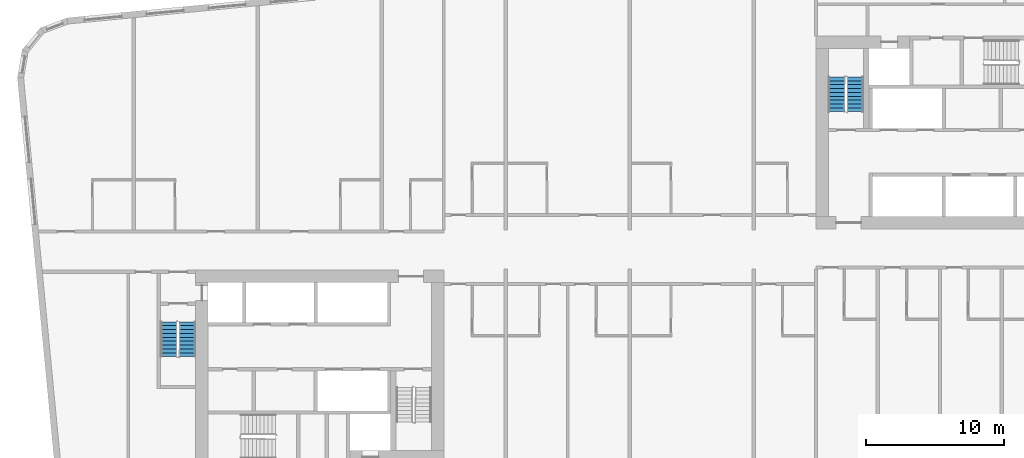
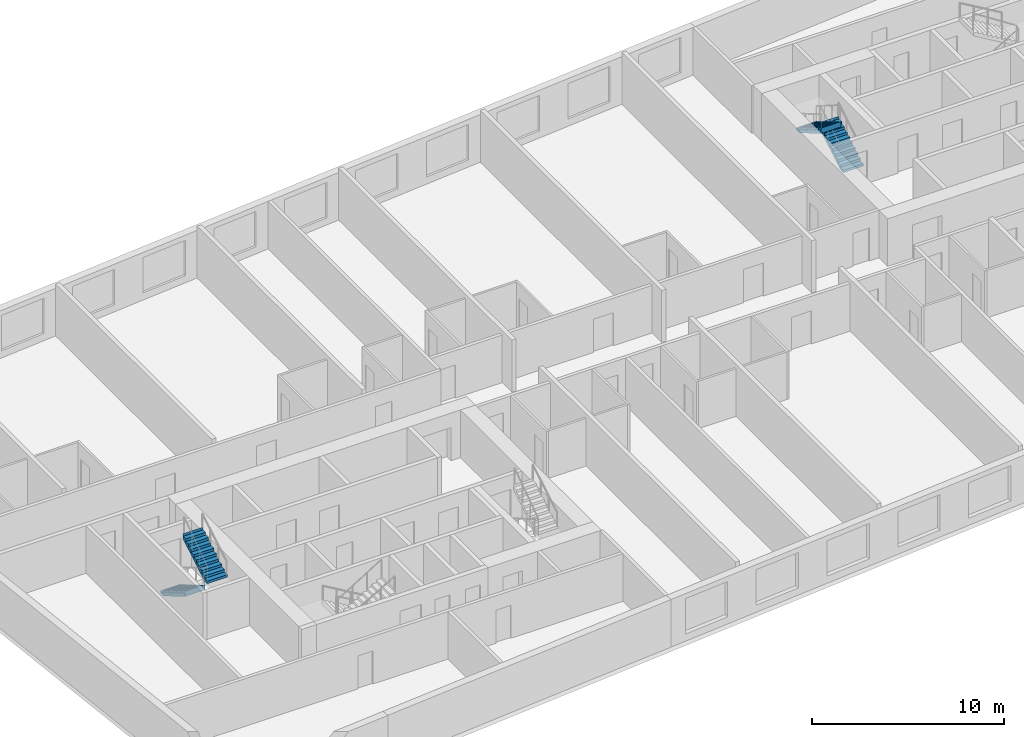
# One storey, part 10 of 12: 4 stair flights, 2 elements without a shape of their own.
"""IFC4 building model written with IfcOpenShell, lengths in metres."""

from ifc_helpers import new_model, si_unit, direction, frame, origin, place, context, subcontext, project, spatial, faceted_brep, material, type_object, element, aggregate, save


model = new_model("IFC4")

# Units and contexts
model_context = context("Model", 3, precision=1e-05, world=origin(), true_north=direction((0.0, 1.0)))
body_context = subcontext(model_context, "Body", "Model", "MODEL_VIEW")
ifc_project = project(units=[si_unit("LENGTHUNIT", "METRE"), si_unit("AREAUNIT", "SQUARE_METRE"), si_unit("VOLUMEUNIT", "CUBIC_METRE"), si_unit("PLANEANGLEUNIT", "RADIAN"), si_unit("MASSUNIT", "GRAM", prefix="KILO")], contexts=[model_context])

# Site, building, storey
site_placement = place(None, origin())
site = spatial("IfcSite", under=ifc_project, at=site_placement, CompositionType="ELEMENT")
building_placement = place(site_placement, origin())
building = spatial("IfcBuilding", under=site, at=building_placement, Name="Kajstack Hotel Tower", CompositionType="ELEMENT")
storey_placement = place(building_placement, frame((0.0, 0.0, 190.0)))
storey = spatial("IfcBuildingStorey", under=building, at=storey_placement, Name="L45", CompositionType="ELEMENT", Elevation=190.0)

# Stair, stair flights
ifc_material = material(Name="Concrete C40/50", Category="concrete")
stair_type = type_object("IfcStairType", Name="Exit stair 1200", PredefinedType="HALF_TURN_STAIR", material=ifc_material)
stair_1_placement = place(storey_placement, origin())
stair_1 = element("IfcStair", 1, at=stair_1_placement, inside=storey, type_object=stair_type, Name="L45 stair W1", PredefinedType="HALF_TURN_STAIR")
stair_flight_type = type_object("IfcStairFlightType", Name="Exit stair flight 1200", PredefinedType="STRAIGHT", material=ifc_material)
stair_flight_1_placement = place(storey_placement, frame((-33.449951171875, -5.25, 0.0), z_axis=(0.0, 0.0, 1.0), x_axis=(0.0, -1.0, 0.0)))
stair_flight_1 = element("IfcStairFlight", 2, at=stair_flight_1_placement, type_object=stair_flight_type, Name="W1 flight 1", NumberOfRisers=10, NumberOfTreads=9, PredefinedType="STRAIGHT", RiserHeight=0.165, TreadLength=0.28, context=body_context, shape_type="Brep", body=[
    faceted_brep([(0.295654296875, -0.60009765625, 0.0), (2.5205078125, -0.60009765625, 1.31103515625), (2.5205078125, -0.60009765625, 1.64990234375), (2.52001953125, -0.60009765625, 1.64990234375), (2.52001953125, -0.60009765625, 1.485107421875), (2.239990234375, -0.60009765625, 1.485107421875), (2.239990234375, -0.60009765625, 1.320068359375), (1.9599609375, -0.60009765625, 1.320068359375), (1.9599609375, -0.60009765625, 1.155029296875), (1.679931640625, -0.60009765625, 1.155029296875), (1.679931640625, -0.60009765625, 0.989990234375), (1.39990234375, -0.60009765625, 0.989990234375), (1.39990234375, -0.60009765625, 0.824951171875), (1.1201171875, -0.60009765625, 0.824951171875), (1.1201171875, -0.60009765625, 0.659912109375), (0.840087890625, -0.60009765625, 0.659912109375), (0.840087890625, -0.60009765625, 0.4951171875), (0.56005859375, -0.60009765625, 0.4951171875), (0.56005859375, -0.60009765625, 0.330078125), (0.280029296875, -0.60009765625, 0.330078125), (0.280029296875, -0.60009765625, 0.1650390625), (-0.00048828125, -0.60009765625, 0.1650390625), (-0.00048828125, -0.60009765625, 0.0), (-0.00048828125, 0.60009765625, 0.0), (-0.00048828125, 0.60009765625, 0.1650390625), (0.280029296875, 0.60009765625, 0.1650390625), (0.280029296875, 0.60009765625, 0.330078125), (0.56005859375, 0.60009765625, 0.330078125), (0.56005859375, 0.60009765625, 0.4951171875), (0.840087890625, 0.60009765625, 0.4951171875), (0.840087890625, 0.60009765625, 0.659912109375), (1.1201171875, 0.60009765625, 0.659912109375), (1.1201171875, 0.60009765625, 0.824951171875), (1.39990234375, 0.60009765625, 0.824951171875), (1.39990234375, 0.60009765625, 0.989990234375), (1.679931640625, 0.60009765625, 0.989990234375), (1.679931640625, 0.60009765625, 1.155029296875), (1.9599609375, 0.60009765625, 1.155029296875), (1.9599609375, 0.60009765625, 1.320068359375), (2.239990234375, 0.60009765625, 1.320068359375), (2.239990234375, 0.60009765625, 1.485107421875), (2.52001953125, 0.60009765625, 1.485107421875), (2.52001953125, 0.60009765625, 1.64990234375), (2.5205078125, 0.60009765625, 1.64990234375), (2.5205078125, 0.60009765625, 1.31103515625), (0.295654296875, 0.60009765625, 0.0), (-0.00048828125, -0.300048828125, 0.1650390625), (-0.00048828125, 0.0, 0.1650390625), (-0.00048828125, 0.300048828125, 0.1650390625), (-0.00048828125, 0.300048828125, 0.0), (-0.00048828125, 0.0, 0.0), (-0.00048828125, -0.300048828125, 0.0), (0.280029296875, -0.300048828125, 0.1650390625), (0.280029296875, 0.0, 0.1650390625), (0.280029296875, 0.300048828125, 0.1650390625), (0.280029296875, -0.300048828125, 0.330078125), (0.280029296875, 0.0, 0.330078125), (0.280029296875, 0.300048828125, 0.330078125), (0.56005859375, -0.300048828125, 0.330078125), (0.56005859375, 0.0, 0.330078125), (0.56005859375, 0.300048828125, 0.330078125), (0.56005859375, -0.300048828125, 0.4951171875), (0.56005859375, 0.0, 0.4951171875), (0.56005859375, 0.300048828125, 0.4951171875), (0.840087890625, -0.300048828125, 0.4951171875), (0.840087890625, 0.0, 0.4951171875), (0.840087890625, 0.300048828125, 0.4951171875), (0.840087890625, -0.300048828125, 0.659912109375), (0.840087890625, 0.0, 0.659912109375), (0.840087890625, 0.300048828125, 0.659912109375), (1.1201171875, -0.300048828125, 0.659912109375), (1.1201171875, 0.0, 0.659912109375), (1.1201171875, 0.300048828125, 0.659912109375), (1.1201171875, -0.300048828125, 0.824951171875), (1.1201171875, 0.0, 0.824951171875), (1.1201171875, 0.300048828125, 0.824951171875), (1.39990234375, -0.300048828125, 0.824951171875), (1.39990234375, 0.0, 0.824951171875), (1.39990234375, 0.300048828125, 0.824951171875), (1.39990234375, -0.300048828125, 0.989990234375), (1.39990234375, 0.0, 0.989990234375), (1.39990234375, 0.300048828125, 0.989990234375), (1.679931640625, -0.300048828125, 0.989990234375), (1.679931640625, 0.0, 0.989990234375), (1.679931640625, 0.300048828125, 0.989990234375), (1.679931640625, -0.300048828125, 1.155029296875), (1.679931640625, 0.0, 1.155029296875), (1.679931640625, 0.300048828125, 1.155029296875), (1.9599609375, -0.300048828125, 1.155029296875), (1.9599609375, 0.0, 1.155029296875), (1.9599609375, 0.300048828125, 1.155029296875), (1.9599609375, -0.300048828125, 1.320068359375), (1.9599609375, 0.0, 1.320068359375), (1.9599609375, 0.300048828125, 1.320068359375), (2.239990234375, -0.300048828125, 1.320068359375), (2.239990234375, 0.0, 1.320068359375), (2.239990234375, 0.300048828125, 1.320068359375), (2.239990234375, -0.300048828125, 1.485107421875), (2.239990234375, 0.0, 1.485107421875), (2.239990234375, 0.300048828125, 1.485107421875), (2.52001953125, -0.300048828125, 1.485107421875), (2.52001953125, 0.0, 1.485107421875), (2.52001953125, 0.300048828125, 1.485107421875), (2.52001953125, -0.300048828125, 1.64990234375), (2.52001953125, 0.0, 1.64990234375), (2.52001953125, 0.300048828125, 1.64990234375), (2.5205078125, -0.300048828125, 1.64990234375), (2.5205078125, 0.0, 1.64990234375), (2.5205078125, 0.300048828125, 1.64990234375), (2.5205078125, -0.300048828125, 1.31103515625), (2.5205078125, 0.0, 1.31103515625), (2.5205078125, 0.300048828125, 1.31103515625), (0.295654296875, -0.300048828125, 0.0), (0.295654296875, 0.0, 0.0), (0.295654296875, 0.300048828125, 0.0)], [[[0, 1, 2, 3, 4, 5, 6, 7, 8, 9, 10, 11, 12, 13, 14, 15, 16, 17, 18, 19, 20, 21, 22]], [[23, 24, 25, 26, 27, 28, 29, 30, 31, 32, 33, 34, 35, 36, 37, 38, 39, 40, 41, 42, 43, 44, 45]], [[21, 46, 47, 48, 24, 23, 49, 50, 51, 22]], [[20, 52, 53, 54, 25, 24, 48, 47, 46, 21]], [[19, 55, 56, 57, 26, 25, 54, 53, 52, 20]], [[18, 58, 59, 60, 27, 26, 57, 56, 55, 19]], [[17, 61, 62, 63, 28, 27, 60, 59, 58, 18]], [[16, 64, 65, 66, 29, 28, 63, 62, 61, 17]], [[15, 67, 68, 69, 30, 29, 66, 65, 64, 16]], [[14, 70, 71, 72, 31, 30, 69, 68, 67, 15]], [[13, 73, 74, 75, 32, 31, 72, 71, 70, 14]], [[12, 76, 77, 78, 33, 32, 75, 74, 73, 13]], [[11, 79, 80, 81, 34, 33, 78, 77, 76, 12]], [[10, 82, 83, 84, 35, 34, 81, 80, 79, 11]], [[9, 85, 86, 87, 36, 35, 84, 83, 82, 10]], [[8, 88, 89, 90, 37, 36, 87, 86, 85, 9]], [[7, 91, 92, 93, 38, 37, 90, 89, 88, 8]], [[6, 94, 95, 96, 39, 38, 93, 92, 91, 7]], [[5, 97, 98, 99, 40, 39, 96, 95, 94, 6]], [[4, 100, 101, 102, 41, 40, 99, 98, 97, 5]], [[3, 103, 104, 105, 42, 41, 102, 101, 100, 4]], [[2, 106, 107, 108, 43, 42, 105, 104, 103, 3]], [[1, 109, 110, 111, 44, 43, 108, 107, 106, 2]], [[0, 112, 113, 114, 45, 44, 111, 110, 109, 1]], [[22, 51, 50, 49, 23, 45, 114, 113, 112, 0]]]),
])
stair_flight_2_placement = place(storey_placement, frame((-32.10009765625, -7.77001953125, 1.64990234375), z_axis=(0.0, 0.0, 1.0), x_axis=(0.0, 1.0, 0.0)))
stair_flight_2 = element("IfcStairFlight", 3, at=stair_flight_2_placement, type_object=stair_flight_type, Name="W1 flight 2", NumberOfRisers=10, NumberOfTreads=9, PredefinedType="STRAIGHT", RiserHeight=0.165, TreadLength=0.28, context=body_context, shape_type="Brep", body=[
    faceted_brep([(0.295654296875, -0.60009765625, 0.0), (2.5205078125, -0.60009765625, 1.31103515625), (2.5205078125, -0.60009765625, 1.64990234375), (2.52001953125, -0.60009765625, 1.64990234375), (2.52001953125, -0.60009765625, 1.485107421875), (2.239990234375, -0.60009765625, 1.485107421875), (2.239990234375, -0.60009765625, 1.320068359375), (1.9599609375, -0.60009765625, 1.320068359375), (1.9599609375, -0.60009765625, 1.155029296875), (1.679931640625, -0.60009765625, 1.155029296875), (1.679931640625, -0.60009765625, 0.989990234375), (1.39990234375, -0.60009765625, 0.989990234375), (1.39990234375, -0.60009765625, 0.824951171875), (1.1201171875, -0.60009765625, 0.824951171875), (1.1201171875, -0.60009765625, 0.659912109375), (0.840087890625, -0.60009765625, 0.659912109375), (0.840087890625, -0.60009765625, 0.4951171875), (0.56005859375, -0.60009765625, 0.4951171875), (0.56005859375, -0.60009765625, 0.330078125), (0.280029296875, -0.60009765625, 0.330078125), (0.280029296875, -0.60009765625, 0.1650390625), (-0.00048828125, -0.60009765625, 0.1650390625), (-0.00048828125, -0.60009765625, 0.0), (-0.00048828125, 0.60009765625, 0.0), (-0.00048828125, 0.60009765625, 0.1650390625), (0.280029296875, 0.60009765625, 0.1650390625), (0.280029296875, 0.60009765625, 0.330078125), (0.56005859375, 0.60009765625, 0.330078125), (0.56005859375, 0.60009765625, 0.4951171875), (0.840087890625, 0.60009765625, 0.4951171875), (0.840087890625, 0.60009765625, 0.659912109375), (1.1201171875, 0.60009765625, 0.659912109375), (1.1201171875, 0.60009765625, 0.824951171875), (1.39990234375, 0.60009765625, 0.824951171875), (1.39990234375, 0.60009765625, 0.989990234375), (1.679931640625, 0.60009765625, 0.989990234375), (1.679931640625, 0.60009765625, 1.155029296875), (1.9599609375, 0.60009765625, 1.155029296875), (1.9599609375, 0.60009765625, 1.320068359375), (2.239990234375, 0.60009765625, 1.320068359375), (2.239990234375, 0.60009765625, 1.485107421875), (2.52001953125, 0.60009765625, 1.485107421875), (2.52001953125, 0.60009765625, 1.64990234375), (2.5205078125, 0.60009765625, 1.64990234375), (2.5205078125, 0.60009765625, 1.31103515625), (0.295654296875, 0.60009765625, 0.0), (-0.00048828125, -0.300048828125, 0.1650390625), (-0.00048828125, 0.0, 0.1650390625), (-0.00048828125, 0.300048828125, 0.1650390625), (-0.00048828125, 0.300048828125, 0.0), (-0.00048828125, 0.0, 0.0), (-0.00048828125, -0.300048828125, 0.0), (0.280029296875, -0.300048828125, 0.1650390625), (0.280029296875, 0.0, 0.1650390625), (0.280029296875, 0.300048828125, 0.1650390625), (0.280029296875, -0.300048828125, 0.330078125), (0.280029296875, 0.0, 0.330078125), (0.280029296875, 0.300048828125, 0.330078125), (0.56005859375, -0.300048828125, 0.330078125), (0.56005859375, 0.0, 0.330078125), (0.56005859375, 0.300048828125, 0.330078125), (0.56005859375, -0.300048828125, 0.4951171875), (0.56005859375, 0.0, 0.4951171875), (0.56005859375, 0.300048828125, 0.4951171875), (0.840087890625, -0.300048828125, 0.4951171875), (0.840087890625, 0.0, 0.4951171875), (0.840087890625, 0.300048828125, 0.4951171875), (0.840087890625, -0.300048828125, 0.659912109375), (0.840087890625, 0.0, 0.659912109375), (0.840087890625, 0.300048828125, 0.659912109375), (1.1201171875, -0.300048828125, 0.659912109375), (1.1201171875, 0.0, 0.659912109375), (1.1201171875, 0.300048828125, 0.659912109375), (1.1201171875, -0.300048828125, 0.824951171875), (1.1201171875, 0.0, 0.824951171875), (1.1201171875, 0.300048828125, 0.824951171875), (1.39990234375, -0.300048828125, 0.824951171875), (1.39990234375, 0.0, 0.824951171875), (1.39990234375, 0.300048828125, 0.824951171875), (1.39990234375, -0.300048828125, 0.989990234375), (1.39990234375, 0.0, 0.989990234375), (1.39990234375, 0.300048828125, 0.989990234375), (1.679931640625, -0.300048828125, 0.989990234375), (1.679931640625, 0.0, 0.989990234375), (1.679931640625, 0.300048828125, 0.989990234375), (1.679931640625, -0.300048828125, 1.155029296875), (1.679931640625, 0.0, 1.155029296875), (1.679931640625, 0.300048828125, 1.155029296875), (1.9599609375, -0.300048828125, 1.155029296875), (1.9599609375, 0.0, 1.155029296875), (1.9599609375, 0.300048828125, 1.155029296875), (1.9599609375, -0.300048828125, 1.320068359375), (1.9599609375, 0.0, 1.320068359375), (1.9599609375, 0.300048828125, 1.320068359375), (2.239990234375, -0.300048828125, 1.320068359375), (2.239990234375, 0.0, 1.320068359375), (2.239990234375, 0.300048828125, 1.320068359375), (2.239990234375, -0.300048828125, 1.485107421875), (2.239990234375, 0.0, 1.485107421875), (2.239990234375, 0.300048828125, 1.485107421875), (2.52001953125, -0.300048828125, 1.485107421875), (2.52001953125, 0.0, 1.485107421875), (2.52001953125, 0.300048828125, 1.485107421875), (2.52001953125, -0.300048828125, 1.64990234375), (2.52001953125, 0.0, 1.64990234375), (2.52001953125, 0.300048828125, 1.64990234375), (2.5205078125, -0.300048828125, 1.64990234375), (2.5205078125, 0.0, 1.64990234375), (2.5205078125, 0.300048828125, 1.64990234375), (2.5205078125, -0.300048828125, 1.31103515625), (2.5205078125, 0.0, 1.31103515625), (2.5205078125, 0.300048828125, 1.31103515625), (0.295654296875, -0.300048828125, 0.0), (0.295654296875, 0.0, 0.0), (0.295654296875, 0.300048828125, 0.0)], [[[0, 1, 2, 3, 4, 5, 6, 7, 8, 9, 10, 11, 12, 13, 14, 15, 16, 17, 18, 19, 20, 21, 22]], [[23, 24, 25, 26, 27, 28, 29, 30, 31, 32, 33, 34, 35, 36, 37, 38, 39, 40, 41, 42, 43, 44, 45]], [[21, 46, 47, 48, 24, 23, 49, 50, 51, 22]], [[20, 52, 53, 54, 25, 24, 48, 47, 46, 21]], [[19, 55, 56, 57, 26, 25, 54, 53, 52, 20]], [[18, 58, 59, 60, 27, 26, 57, 56, 55, 19]], [[17, 61, 62, 63, 28, 27, 60, 59, 58, 18]], [[16, 64, 65, 66, 29, 28, 63, 62, 61, 17]], [[15, 67, 68, 69, 30, 29, 66, 65, 64, 16]], [[14, 70, 71, 72, 31, 30, 69, 68, 67, 15]], [[13, 73, 74, 75, 32, 31, 72, 71, 70, 14]], [[12, 76, 77, 78, 33, 32, 75, 74, 73, 13]], [[11, 79, 80, 81, 34, 33, 78, 77, 76, 12]], [[10, 82, 83, 84, 35, 34, 81, 80, 79, 11]], [[9, 85, 86, 87, 36, 35, 84, 83, 82, 10]], [[8, 88, 89, 90, 37, 36, 87, 86, 85, 9]], [[7, 91, 92, 93, 38, 37, 90, 89, 88, 8]], [[6, 94, 95, 96, 39, 38, 93, 92, 91, 7]], [[5, 97, 98, 99, 40, 39, 96, 95, 94, 6]], [[4, 100, 101, 102, 41, 40, 99, 98, 97, 5]], [[3, 103, 104, 105, 42, 41, 102, 101, 100, 4]], [[2, 106, 107, 108, 43, 42, 105, 104, 103, 3]], [[1, 109, 110, 111, 44, 43, 108, 107, 106, 2]], [[0, 112, 113, 114, 45, 44, 111, 110, 109, 1]], [[22, 51, 50, 49, 23, 45, 114, 113, 112, 0]]]),
])
aggregate(stair_1, [stair_flight_1, stair_flight_2])

stair_2_placement = place(storey_placement, origin())
stair_2 = element("IfcStair", 4, at=stair_2_placement, inside=storey, type_object=stair_type, Name="L45 stair E2", PredefinedType="HALF_TURN_STAIR")
stair_flight_3_placement = place(storey_placement, frame((16.35009765625, 10.0, 0.0), z_axis=(0.0, 0.0, 1.0), x_axis=(0.0, 1.0, 0.0)))
stair_flight_3 = element("IfcStairFlight", 5, at=stair_flight_3_placement, type_object=stair_flight_type, Name="E2 flight 1", NumberOfRisers=10, NumberOfTreads=9, PredefinedType="STRAIGHT", RiserHeight=0.165, TreadLength=0.28, context=body_context, shape_type="Brep", body=[
    faceted_brep([(0.295654296875, -0.60009765625, 0.0), (2.5205078125, -0.60009765625, 1.31103515625), (2.5205078125, -0.60009765625, 1.64990234375), (2.52001953125, -0.60009765625, 1.64990234375), (2.52001953125, -0.60009765625, 1.485107421875), (2.239990234375, -0.60009765625, 1.485107421875), (2.239990234375, -0.60009765625, 1.320068359375), (1.9599609375, -0.60009765625, 1.320068359375), (1.9599609375, -0.60009765625, 1.155029296875), (1.679931640625, -0.60009765625, 1.155029296875), (1.679931640625, -0.60009765625, 0.989990234375), (1.39990234375, -0.60009765625, 0.989990234375), (1.39990234375, -0.60009765625, 0.824951171875), (1.1201171875, -0.60009765625, 0.824951171875), (1.1201171875, -0.60009765625, 0.659912109375), (0.840087890625, -0.60009765625, 0.659912109375), (0.840087890625, -0.60009765625, 0.4951171875), (0.56005859375, -0.60009765625, 0.4951171875), (0.56005859375, -0.60009765625, 0.330078125), (0.280029296875, -0.60009765625, 0.330078125), (0.280029296875, -0.60009765625, 0.1650390625), (-0.00048828125, -0.60009765625, 0.1650390625), (-0.00048828125, -0.60009765625, 0.0), (-0.00048828125, 0.60009765625, 0.0), (-0.00048828125, 0.60009765625, 0.1650390625), (0.280029296875, 0.60009765625, 0.1650390625), (0.280029296875, 0.60009765625, 0.330078125), (0.56005859375, 0.60009765625, 0.330078125), (0.56005859375, 0.60009765625, 0.4951171875), (0.840087890625, 0.60009765625, 0.4951171875), (0.840087890625, 0.60009765625, 0.659912109375), (1.1201171875, 0.60009765625, 0.659912109375), (1.1201171875, 0.60009765625, 0.824951171875), (1.39990234375, 0.60009765625, 0.824951171875), (1.39990234375, 0.60009765625, 0.989990234375), (1.679931640625, 0.60009765625, 0.989990234375), (1.679931640625, 0.60009765625, 1.155029296875), (1.9599609375, 0.60009765625, 1.155029296875), (1.9599609375, 0.60009765625, 1.320068359375), (2.239990234375, 0.60009765625, 1.320068359375), (2.239990234375, 0.60009765625, 1.485107421875), (2.52001953125, 0.60009765625, 1.485107421875), (2.52001953125, 0.60009765625, 1.64990234375), (2.5205078125, 0.60009765625, 1.64990234375), (2.5205078125, 0.60009765625, 1.31103515625), (0.295654296875, 0.60009765625, 0.0), (-0.00048828125, -0.300048828125, 0.1650390625), (-0.00048828125, 0.0, 0.1650390625), (-0.00048828125, 0.300048828125, 0.1650390625), (-0.00048828125, 0.300048828125, 0.0), (-0.00048828125, 0.0, 0.0), (-0.00048828125, -0.300048828125, 0.0), (0.280029296875, -0.300048828125, 0.1650390625), (0.280029296875, 0.0, 0.1650390625), (0.280029296875, 0.300048828125, 0.1650390625), (0.280029296875, -0.300048828125, 0.330078125), (0.280029296875, 0.0, 0.330078125), (0.280029296875, 0.300048828125, 0.330078125), (0.56005859375, -0.300048828125, 0.330078125), (0.56005859375, 0.0, 0.330078125), (0.56005859375, 0.300048828125, 0.330078125), (0.56005859375, -0.300048828125, 0.4951171875), (0.56005859375, 0.0, 0.4951171875), (0.56005859375, 0.300048828125, 0.4951171875), (0.840087890625, -0.300048828125, 0.4951171875), (0.840087890625, 0.0, 0.4951171875), (0.840087890625, 0.300048828125, 0.4951171875), (0.840087890625, -0.300048828125, 0.659912109375), (0.840087890625, 0.0, 0.659912109375), (0.840087890625, 0.300048828125, 0.659912109375), (1.1201171875, -0.300048828125, 0.659912109375), (1.1201171875, 0.0, 0.659912109375), (1.1201171875, 0.300048828125, 0.659912109375), (1.1201171875, -0.300048828125, 0.824951171875), (1.1201171875, 0.0, 0.824951171875), (1.1201171875, 0.300048828125, 0.824951171875), (1.39990234375, -0.300048828125, 0.824951171875), (1.39990234375, 0.0, 0.824951171875), (1.39990234375, 0.300048828125, 0.824951171875), (1.39990234375, -0.300048828125, 0.989990234375), (1.39990234375, 0.0, 0.989990234375), (1.39990234375, 0.300048828125, 0.989990234375), (1.679931640625, -0.300048828125, 0.989990234375), (1.679931640625, 0.0, 0.989990234375), (1.679931640625, 0.300048828125, 0.989990234375), (1.679931640625, -0.300048828125, 1.155029296875), (1.679931640625, 0.0, 1.155029296875), (1.679931640625, 0.300048828125, 1.155029296875), (1.9599609375, -0.300048828125, 1.155029296875), (1.9599609375, 0.0, 1.155029296875), (1.9599609375, 0.300048828125, 1.155029296875), (1.9599609375, -0.300048828125, 1.320068359375), (1.9599609375, 0.0, 1.320068359375), (1.9599609375, 0.300048828125, 1.320068359375), (2.239990234375, -0.300048828125, 1.320068359375), (2.239990234375, 0.0, 1.320068359375), (2.239990234375, 0.300048828125, 1.320068359375), (2.239990234375, -0.300048828125, 1.485107421875), (2.239990234375, 0.0, 1.485107421875), (2.239990234375, 0.300048828125, 1.485107421875), (2.52001953125, -0.300048828125, 1.485107421875), (2.52001953125, 0.0, 1.485107421875), (2.52001953125, 0.300048828125, 1.485107421875), (2.52001953125, -0.300048828125, 1.64990234375), (2.52001953125, 0.0, 1.64990234375), (2.52001953125, 0.300048828125, 1.64990234375), (2.5205078125, -0.300048828125, 1.64990234375), (2.5205078125, 0.0, 1.64990234375), (2.5205078125, 0.300048828125, 1.64990234375), (2.5205078125, -0.300048828125, 1.31103515625), (2.5205078125, 0.0, 1.31103515625), (2.5205078125, 0.300048828125, 1.31103515625), (0.295654296875, -0.300048828125, 0.0), (0.295654296875, 0.0, 0.0), (0.295654296875, 0.300048828125, 0.0)], [[[0, 1, 2, 3, 4, 5, 6, 7, 8, 9, 10, 11, 12, 13, 14, 15, 16, 17, 18, 19, 20, 21, 22]], [[23, 24, 25, 26, 27, 28, 29, 30, 31, 32, 33, 34, 35, 36, 37, 38, 39, 40, 41, 42, 43, 44, 45]], [[21, 46, 47, 48, 24, 23, 49, 50, 51, 22]], [[20, 52, 53, 54, 25, 24, 48, 47, 46, 21]], [[19, 55, 56, 57, 26, 25, 54, 53, 52, 20]], [[18, 58, 59, 60, 27, 26, 57, 56, 55, 19]], [[17, 61, 62, 63, 28, 27, 60, 59, 58, 18]], [[16, 64, 65, 66, 29, 28, 63, 62, 61, 17]], [[15, 67, 68, 69, 30, 29, 66, 65, 64, 16]], [[14, 70, 71, 72, 31, 30, 69, 68, 67, 15]], [[13, 73, 74, 75, 32, 31, 72, 71, 70, 14]], [[12, 76, 77, 78, 33, 32, 75, 74, 73, 13]], [[11, 79, 80, 81, 34, 33, 78, 77, 76, 12]], [[10, 82, 83, 84, 35, 34, 81, 80, 79, 11]], [[9, 85, 86, 87, 36, 35, 84, 83, 82, 10]], [[8, 88, 89, 90, 37, 36, 87, 86, 85, 9]], [[7, 91, 92, 93, 38, 37, 90, 89, 88, 8]], [[6, 94, 95, 96, 39, 38, 93, 92, 91, 7]], [[5, 97, 98, 99, 40, 39, 96, 95, 94, 6]], [[4, 100, 101, 102, 41, 40, 99, 98, 97, 5]], [[3, 103, 104, 105, 42, 41, 102, 101, 100, 4]], [[2, 106, 107, 108, 43, 42, 105, 104, 103, 3]], [[1, 109, 110, 111, 44, 43, 108, 107, 106, 2]], [[0, 112, 113, 114, 45, 44, 111, 110, 109, 1]], [[22, 51, 50, 49, 23, 45, 114, 113, 112, 0]]]),
])
stair_flight_4_placement = place(storey_placement, frame((15.0, 12.52001953125, 1.64990234375), z_axis=(0.0, 0.0, 1.0), x_axis=(0.0, -1.0, 0.0)))
stair_flight_4 = element("IfcStairFlight", 6, at=stair_flight_4_placement, type_object=stair_flight_type, Name="E2 flight 2", NumberOfRisers=10, NumberOfTreads=9, PredefinedType="STRAIGHT", RiserHeight=0.165, TreadLength=0.28, context=body_context, shape_type="Brep", body=[
    faceted_brep([(0.295654296875, -0.60009765625, 0.0), (2.5205078125, -0.60009765625, 1.31103515625), (2.5205078125, -0.60009765625, 1.64990234375), (2.52001953125, -0.60009765625, 1.64990234375), (2.52001953125, -0.60009765625, 1.485107421875), (2.239990234375, -0.60009765625, 1.485107421875), (2.239990234375, -0.60009765625, 1.320068359375), (1.9599609375, -0.60009765625, 1.320068359375), (1.9599609375, -0.60009765625, 1.155029296875), (1.679931640625, -0.60009765625, 1.155029296875), (1.679931640625, -0.60009765625, 0.989990234375), (1.39990234375, -0.60009765625, 0.989990234375), (1.39990234375, -0.60009765625, 0.824951171875), (1.1201171875, -0.60009765625, 0.824951171875), (1.1201171875, -0.60009765625, 0.659912109375), (0.840087890625, -0.60009765625, 0.659912109375), (0.840087890625, -0.60009765625, 0.4951171875), (0.56005859375, -0.60009765625, 0.4951171875), (0.56005859375, -0.60009765625, 0.330078125), (0.280029296875, -0.60009765625, 0.330078125), (0.280029296875, -0.60009765625, 0.1650390625), (-0.00048828125, -0.60009765625, 0.1650390625), (-0.00048828125, -0.60009765625, 0.0), (-0.00048828125, 0.60009765625, 0.0), (-0.00048828125, 0.60009765625, 0.1650390625), (0.280029296875, 0.60009765625, 0.1650390625), (0.280029296875, 0.60009765625, 0.330078125), (0.56005859375, 0.60009765625, 0.330078125), (0.56005859375, 0.60009765625, 0.4951171875), (0.840087890625, 0.60009765625, 0.4951171875), (0.840087890625, 0.60009765625, 0.659912109375), (1.1201171875, 0.60009765625, 0.659912109375), (1.1201171875, 0.60009765625, 0.824951171875), (1.39990234375, 0.60009765625, 0.824951171875), (1.39990234375, 0.60009765625, 0.989990234375), (1.679931640625, 0.60009765625, 0.989990234375), (1.679931640625, 0.60009765625, 1.155029296875), (1.9599609375, 0.60009765625, 1.155029296875), (1.9599609375, 0.60009765625, 1.320068359375), (2.239990234375, 0.60009765625, 1.320068359375), (2.239990234375, 0.60009765625, 1.485107421875), (2.52001953125, 0.60009765625, 1.485107421875), (2.52001953125, 0.60009765625, 1.64990234375), (2.5205078125, 0.60009765625, 1.64990234375), (2.5205078125, 0.60009765625, 1.31103515625), (0.295654296875, 0.60009765625, 0.0), (-0.00048828125, -0.300048828125, 0.1650390625), (-0.00048828125, 0.0, 0.1650390625), (-0.00048828125, 0.300048828125, 0.1650390625), (-0.00048828125, 0.300048828125, 0.0), (-0.00048828125, 0.0, 0.0), (-0.00048828125, -0.300048828125, 0.0), (0.280029296875, -0.300048828125, 0.1650390625), (0.280029296875, 0.0, 0.1650390625), (0.280029296875, 0.300048828125, 0.1650390625), (0.280029296875, -0.300048828125, 0.330078125), (0.280029296875, 0.0, 0.330078125), (0.280029296875, 0.300048828125, 0.330078125), (0.56005859375, -0.300048828125, 0.330078125), (0.56005859375, 0.0, 0.330078125), (0.56005859375, 0.300048828125, 0.330078125), (0.56005859375, -0.300048828125, 0.4951171875), (0.56005859375, 0.0, 0.4951171875), (0.56005859375, 0.300048828125, 0.4951171875), (0.840087890625, -0.300048828125, 0.4951171875), (0.840087890625, 0.0, 0.4951171875), (0.840087890625, 0.300048828125, 0.4951171875), (0.840087890625, -0.300048828125, 0.659912109375), (0.840087890625, 0.0, 0.659912109375), (0.840087890625, 0.300048828125, 0.659912109375), (1.1201171875, -0.300048828125, 0.659912109375), (1.1201171875, 0.0, 0.659912109375), (1.1201171875, 0.300048828125, 0.659912109375), (1.1201171875, -0.300048828125, 0.824951171875), (1.1201171875, 0.0, 0.824951171875), (1.1201171875, 0.300048828125, 0.824951171875), (1.39990234375, -0.300048828125, 0.824951171875), (1.39990234375, 0.0, 0.824951171875), (1.39990234375, 0.300048828125, 0.824951171875), (1.39990234375, -0.300048828125, 0.989990234375), (1.39990234375, 0.0, 0.989990234375), (1.39990234375, 0.300048828125, 0.989990234375), (1.679931640625, -0.300048828125, 0.989990234375), (1.679931640625, 0.0, 0.989990234375), (1.679931640625, 0.300048828125, 0.989990234375), (1.679931640625, -0.300048828125, 1.155029296875), (1.679931640625, 0.0, 1.155029296875), (1.679931640625, 0.300048828125, 1.155029296875), (1.9599609375, -0.300048828125, 1.155029296875), (1.9599609375, 0.0, 1.155029296875), (1.9599609375, 0.300048828125, 1.155029296875), (1.9599609375, -0.300048828125, 1.320068359375), (1.9599609375, 0.0, 1.320068359375), (1.9599609375, 0.300048828125, 1.320068359375), (2.239990234375, -0.300048828125, 1.320068359375), (2.239990234375, 0.0, 1.320068359375), (2.239990234375, 0.300048828125, 1.320068359375), (2.239990234375, -0.300048828125, 1.485107421875), (2.239990234375, 0.0, 1.485107421875), (2.239990234375, 0.300048828125, 1.485107421875), (2.52001953125, -0.300048828125, 1.485107421875), (2.52001953125, 0.0, 1.485107421875), (2.52001953125, 0.300048828125, 1.485107421875), (2.52001953125, -0.300048828125, 1.64990234375), (2.52001953125, 0.0, 1.64990234375), (2.52001953125, 0.300048828125, 1.64990234375), (2.5205078125, -0.300048828125, 1.64990234375), (2.5205078125, 0.0, 1.64990234375), (2.5205078125, 0.300048828125, 1.64990234375), (2.5205078125, -0.300048828125, 1.31103515625), (2.5205078125, 0.0, 1.31103515625), (2.5205078125, 0.300048828125, 1.31103515625), (0.295654296875, -0.300048828125, 0.0), (0.295654296875, 0.0, 0.0), (0.295654296875, 0.300048828125, 0.0)], [[[0, 1, 2, 3, 4, 5, 6, 7, 8, 9, 10, 11, 12, 13, 14, 15, 16, 17, 18, 19, 20, 21, 22]], [[23, 24, 25, 26, 27, 28, 29, 30, 31, 32, 33, 34, 35, 36, 37, 38, 39, 40, 41, 42, 43, 44, 45]], [[21, 46, 47, 48, 24, 23, 49, 50, 51, 22]], [[20, 52, 53, 54, 25, 24, 48, 47, 46, 21]], [[19, 55, 56, 57, 26, 25, 54, 53, 52, 20]], [[18, 58, 59, 60, 27, 26, 57, 56, 55, 19]], [[17, 61, 62, 63, 28, 27, 60, 59, 58, 18]], [[16, 64, 65, 66, 29, 28, 63, 62, 61, 17]], [[15, 67, 68, 69, 30, 29, 66, 65, 64, 16]], [[14, 70, 71, 72, 31, 30, 69, 68, 67, 15]], [[13, 73, 74, 75, 32, 31, 72, 71, 70, 14]], [[12, 76, 77, 78, 33, 32, 75, 74, 73, 13]], [[11, 79, 80, 81, 34, 33, 78, 77, 76, 12]], [[10, 82, 83, 84, 35, 34, 81, 80, 79, 11]], [[9, 85, 86, 87, 36, 35, 84, 83, 82, 10]], [[8, 88, 89, 90, 37, 36, 87, 86, 85, 9]], [[7, 91, 92, 93, 38, 37, 90, 89, 88, 8]], [[6, 94, 95, 96, 39, 38, 93, 92, 91, 7]], [[5, 97, 98, 99, 40, 39, 96, 95, 94, 6]], [[4, 100, 101, 102, 41, 40, 99, 98, 97, 5]], [[3, 103, 104, 105, 42, 41, 102, 101, 100, 4]], [[2, 106, 107, 108, 43, 42, 105, 104, 103, 3]], [[1, 109, 110, 111, 44, 43, 108, 107, 106, 2]], [[0, 112, 113, 114, 45, 44, 111, 110, 109, 1]], [[22, 51, 50, 49, 23, 45, 114, 113, 112, 0]]]),
])
aggregate(stair_2, [stair_flight_3, stair_flight_4])

save(model, "model.ifc")
